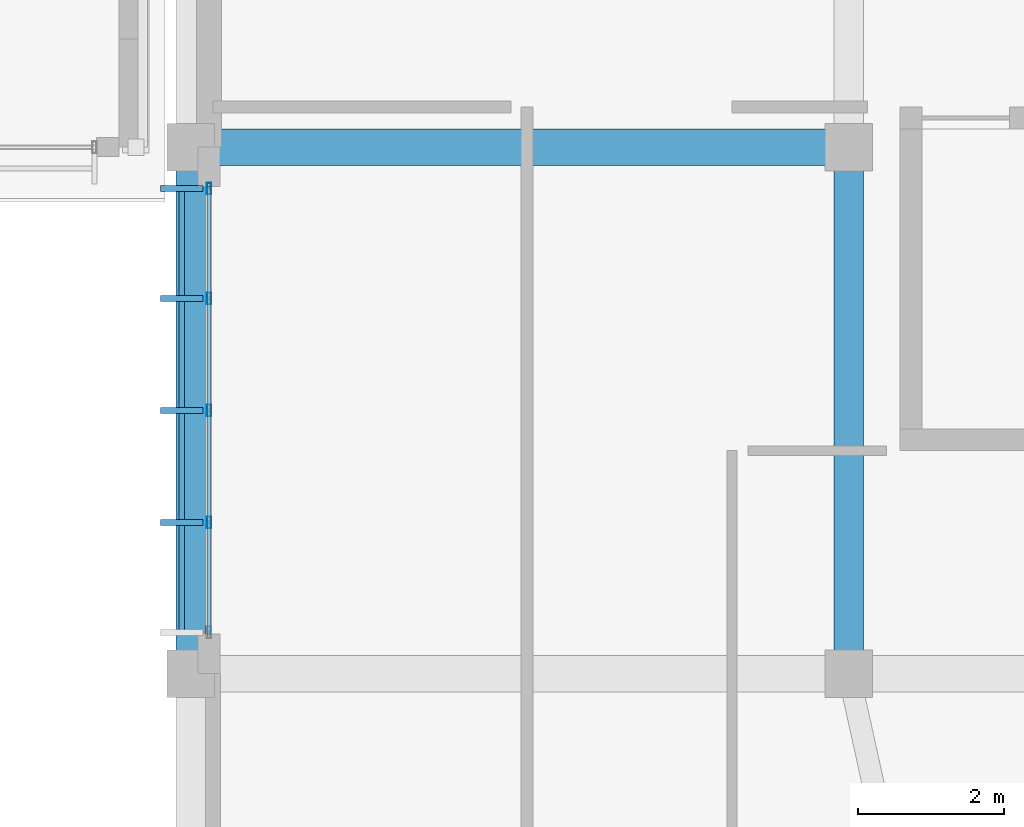
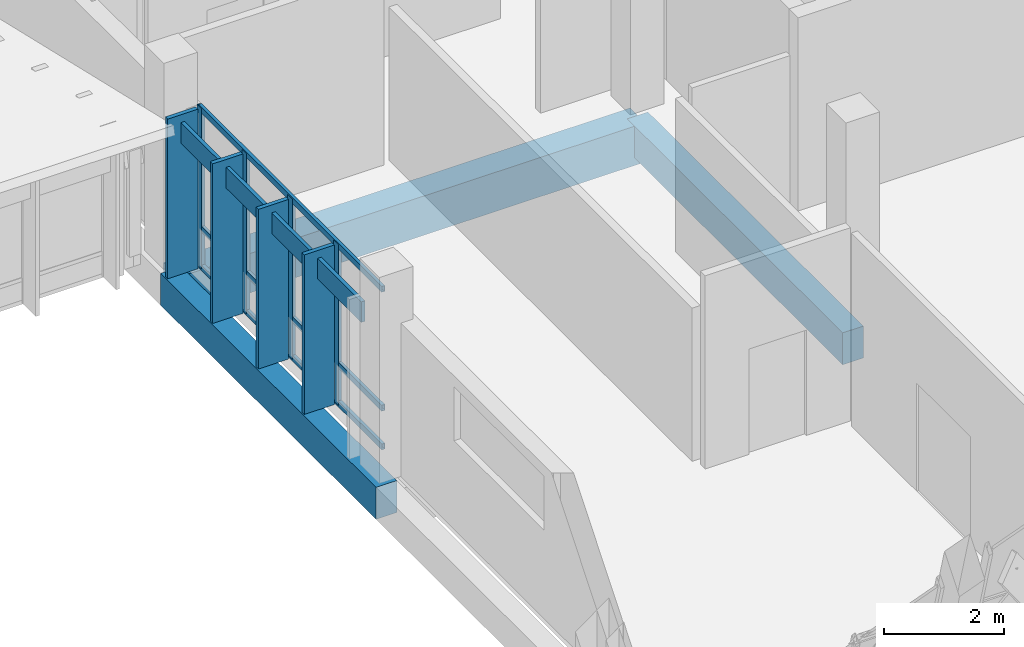
# One storey, part 56 of 182: 12 members, 3 beams, 1 element without a shape of its own.
"""IFC4 building model written with IfcOpenShell, lengths in metres."""

from ifc_helpers import new_model, si_unit, direction, frame, origin, origin_2d, place, context, subcontext, project, spatial, rectangle, hollow_rectangle, extrude, material, material_profile, profile_set, type_object, element, aggregate, save


model = new_model("IFC4")

# Units and contexts
model_context = context("Model", 3, precision=1e-05, world=origin(), true_north=direction((0.0, 1.0)))
body_context = subcontext(model_context, "Body", "Model", "MODEL_VIEW")
ifc_project = project(units=[si_unit("LENGTHUNIT", "METRE"), si_unit("AREAUNIT", "SQUARE_METRE"), si_unit("VOLUMEUNIT", "CUBIC_METRE"), si_unit("PLANEANGLEUNIT", "RADIAN"), si_unit("MASSUNIT", "GRAM", prefix="KILO")], contexts=[model_context])

# Site, building, storey
site_placement = place(None, origin())
site = spatial("IfcSite", under=ifc_project, at=site_placement, CompositionType="ELEMENT")
building_placement = place(site_placement, origin())
building = spatial("IfcBuilding", under=site, at=building_placement, Name="Chiffa Square Polytechnic", CompositionType="ELEMENT")
storey_placement = place(building_placement, frame((0.0, 0.0, 9.60009765625)))
storey = spatial("IfcBuildingStorey", under=building, at=storey_placement, Name="L02", CompositionType="ELEMENT", Elevation=9.60009765625)

# Beams
ifc_material_1 = material(Name="Concrete C35/45", Category="concrete")
ifc_material_profile_1 = material_profile(ifc_material_1, rectangle(XDim=0.39990234375, YDim=0.64990234375, at=origin_2d()), Name="RC 400x650")
ifc_profile_set_1 = profile_set([ifc_material_profile_1], Name="Concrete C35/45")
beam_type_1 = type_object("IfcBeamType", Name="BM-RC-400X650", PredefinedType="BEAM", material=ifc_profile_set_1)
for number, where, z_axis, x_axis, name in (
    (1, (112.199951171875, 14.39990234375, -0.64501953125), (0.0, 1.0, 0.0), (-1.0, 0.0, 0.0), "Primary floor girder BM-V1-L02-Y-1122-0144"),
    (2, (121.199951171875, 14.39990234375, -0.64501953125), (0.0, 1.0, 0.0), (-1.0, 0.0, 0.0), "Primary floor girder BM-V1-L02-Y-1212-0144"),
):
    element("IfcBeam", number, at=place(storey_placement, frame(where, z_axis=z_axis, x_axis=x_axis)), inside=storey, type_object=beam_type_1, Name=name, PredefinedType="BEAM", context=body_context, shape_type="SweptSolid", body=[
        extrude(rectangle(XDim=0.39990234375, YDim=0.64990234375, at=origin_2d()), origin(), (0.0, 0.0, 1.0), 7.2001953125),
    ])
ifc_material_2 = material(Name="Concrete C40/50", Category="concrete")
ifc_material_profile_2 = material_profile(ifc_material_2, rectangle(XDim=0.5, YDim=0.800048828125, at=origin_2d()), Name="RC 500x800")
ifc_profile_set_2 = profile_set([ifc_material_profile_2], Name="Concrete C40/50")
beam_type_2 = type_object("IfcBeamType", Name="BM-RC-500X800", PredefinedType="BEAM", material=ifc_profile_set_2)
beam_placement = place(storey_placement, frame((112.199951171875, 21.60009765625, -0.72021484375), z_axis=(1.0, 0.0, 0.0), x_axis=(0.0, 1.0, 0.0)))
element("IfcBeam", 3, at=beam_placement, inside=storey, type_object=beam_type_2, Name="Primary floor girder BM-V1-L02-X-1122-0216", PredefinedType="BEAM", context=body_context, shape_type="SweptSolid", body=[
    extrude(rectangle(XDim=0.5, YDim=0.800048828125, at=origin_2d()), origin(), (0.0, 0.0, 1.0), 9.0),
])

# Curtain wall, members
ifc_material_3 = material(Name="Aluminium EN AW-6060 T66 and glulam shading", Category="wood")
curtain_wall_type = type_object("IfcCurtainWallType", Name="CW-VERT-600X380", PredefinedType="USERDEFINED", material=ifc_material_3)
curtain_wall_placement = place(storey_placement, origin())
curtain_wall = element("IfcCurtainWall", 4, at=curtain_wall_placement, inside=storey, type_object=curtain_wall_type, Name="Curtain wall CW-V1-L02-132", ObjectType="CURTAIN WALL", PredefinedType="USERDEFINED")
ifc_material_4 = material(Name="Aluminium EN AW-6060 T66", Category="aluminium")
ifc_material_profile_3 = material_profile(ifc_material_4, hollow_rectangle(XDim=0.06005859375, YDim=0.159912109375, WallThickness=0.00390625, at=origin_2d()), Name="ALU 60x160x4")
ifc_profile_set_3 = profile_set([ifc_material_profile_3], Name="Aluminium EN AW-6060 T66")
member_type_1 = type_object("IfcMemberType", Name="CWM-ALU-65X150", PredefinedType="MULLION", material=ifc_profile_set_3)
member_1_placement = place(storey_placement, frame((112.449951171875, 21.034912109375, 0.0), z_axis=(0.0, 0.0, 1.0), x_axis=(1.0, 0.0, 0.0)))
member_1 = element("IfcMember", 5, at=member_1_placement, type_object=member_type_1, Name="Curtain wall mullion CW-V1-L02-132-M00", PredefinedType="MULLION", context=body_context, shape_type="SweptSolid", body=[
    extrude(hollow_rectangle(XDim=0.06005859375, YDim=0.159912109375, WallThickness=0.00390625, at=origin_2d()), origin(), (0.0, 0.0, 1.0), 3.27490234375),
])
member_2_placement = place(storey_placement, frame((112.449951171875, 19.530029296875, 0.0), z_axis=(0.0, 0.0, 1.0), x_axis=(1.0, 0.0, 0.0)))
member_2 = element("IfcMember", 6, at=member_2_placement, type_object=member_type_1, Name="Curtain wall mullion CW-V1-L02-132-M01", PredefinedType="MULLION", context=body_context, shape_type="SweptSolid", body=[
    extrude(hollow_rectangle(XDim=0.06005859375, YDim=0.159912109375, WallThickness=0.00390625, at=origin_2d()), origin(), (0.0, 0.0, 1.0), 3.27490234375),
])
member_3_placement = place(storey_placement, frame((112.449951171875, 18.0, 0.0), z_axis=(0.0, 0.0, 1.0), x_axis=(1.0, 0.0, 0.0)))
member_3 = element("IfcMember", 7, at=member_3_placement, type_object=member_type_1, Name="Curtain wall mullion CW-V1-L02-132-M02", PredefinedType="MULLION", context=body_context, shape_type="SweptSolid", body=[
    extrude(hollow_rectangle(XDim=0.06005859375, YDim=0.159912109375, WallThickness=0.00390625, at=origin_2d()), origin(), (0.0, 0.0, 1.0), 3.27490234375),
])
member_4_placement = place(storey_placement, frame((112.449951171875, 16.469970703125, 0.0), z_axis=(0.0, 0.0, 1.0), x_axis=(1.0, 0.0, 0.0)))
member_4 = element("IfcMember", 8, at=member_4_placement, type_object=member_type_1, Name="Curtain wall mullion CW-V1-L02-132-M03", PredefinedType="MULLION", context=body_context, shape_type="SweptSolid", body=[
    extrude(hollow_rectangle(XDim=0.06005859375, YDim=0.159912109375, WallThickness=0.00390625, at=origin_2d()), origin(), (0.0, 0.0, 1.0), 3.27490234375),
])
ifc_material_5 = material(Name="Glulam GL28h", Category="wood")
ifc_material_profile_4 = material_profile(ifc_material_5, rectangle(XDim=0.080078125, YDim=0.580078125, at=origin_2d()), Name="GL28h 80x580")
ifc_profile_set_4 = profile_set([ifc_material_profile_4], Name="Glulam GL28h")
member_type_2 = type_object("IfcMemberType", Name="CWM-GL-80X580", PredefinedType="MULLION", material=ifc_profile_set_4)
member_5_placement = place(storey_placement, frame((112.077880859375, 21.034912109375, 0.010009765625), z_axis=(0.0, 0.0, 1.0), x_axis=(0.0, -1.0, 0.0)))
member_5 = element("IfcMember", 9, at=member_5_placement, type_object=member_type_2, Name="Exterior glulam solar fin CW-V1-L02-132-FN00", PredefinedType="MULLION", context=body_context, shape_type="SweptSolid", body=[
    extrude(rectangle(XDim=0.080078125, YDim=0.580078125, at=origin_2d()), origin(), (0.0, 0.0, 1.0), 3.2548828125),
])
member_6_placement = place(storey_placement, frame((112.077880859375, 19.530029296875, 0.010009765625), z_axis=(0.0, 0.0, 1.0), x_axis=(0.0, -1.0, 0.0)))
member_6 = element("IfcMember", 10, at=member_6_placement, type_object=member_type_2, Name="Exterior glulam solar fin CW-V1-L02-132-FN01", PredefinedType="MULLION", context=body_context, shape_type="SweptSolid", body=[
    extrude(rectangle(XDim=0.080078125, YDim=0.580078125, at=origin_2d()), origin(), (0.0, 0.0, 1.0), 3.2548828125),
])
member_7_placement = place(storey_placement, frame((112.077880859375, 18.0, 0.010009765625), z_axis=(0.0, 0.0, 1.0), x_axis=(0.0, -1.0, 0.0)))
member_7 = element("IfcMember", 11, at=member_7_placement, type_object=member_type_2, Name="Exterior glulam solar fin CW-V1-L02-132-FN02", PredefinedType="MULLION", context=body_context, shape_type="SweptSolid", body=[
    extrude(rectangle(XDim=0.080078125, YDim=0.580078125, at=origin_2d()), origin(), (0.0, 0.0, 1.0), 3.2548828125),
])
member_8_placement = place(storey_placement, frame((112.077880859375, 16.469970703125, 0.010009765625), z_axis=(0.0, 0.0, 1.0), x_axis=(0.0, -1.0, 0.0)))
member_8 = element("IfcMember", 12, at=member_8_placement, type_object=member_type_2, Name="Exterior glulam solar fin CW-V1-L02-132-FN03", PredefinedType="MULLION", context=body_context, shape_type="SweptSolid", body=[
    extrude(rectangle(XDim=0.080078125, YDim=0.580078125, at=origin_2d()), origin(), (0.0, 0.0, 1.0), 3.2548828125),
])
ifc_material_profile_5 = material_profile(ifc_material_4, hollow_rectangle(XDim=0.06005859375, YDim=0.1201171875, WallThickness=0.00390625, at=origin_2d()), Name="ALU 60x120x4")
ifc_profile_set_5 = profile_set([ifc_material_profile_5], Name="Aluminium EN AW-6060 T66")
member_type_3 = type_object("IfcMemberType", Name="CWT-ALU-65X120", PredefinedType="USERDEFINED", material=ifc_profile_set_5)
member_9_placement = place(storey_placement, frame((112.449951171875, 21.06201171875, 0.02978515625), z_axis=(0.0, -1.0, 0.0), x_axis=(1.0, 0.0, 0.0)))
member_9 = element("IfcMember", 13, at=member_9_placement, type_object=member_type_3, Name="Curtain wall transom CW-V1-L02-132-T01", ObjectType="TRANSOM", PredefinedType="USERDEFINED", context=body_context, shape_type="SweptSolid", body=[
    extrude(hollow_rectangle(XDim=0.06005859375, YDim=0.1201171875, WallThickness=0.00390625, at=origin_2d()), origin(), (0.0, 0.0, 1.0), 6.1240234375),
])
member_10_placement = place(storey_placement, frame((112.449951171875, 21.06201171875, 0.81982421875), z_axis=(0.0, -1.0, 0.0), x_axis=(1.0, 0.0, 0.0)))
member_10 = element("IfcMember", 14, at=member_10_placement, type_object=member_type_3, Name="Curtain wall transom CW-V1-L02-132-T02", ObjectType="TRANSOM", PredefinedType="USERDEFINED", context=body_context, shape_type="SweptSolid", body=[
    extrude(hollow_rectangle(XDim=0.06005859375, YDim=0.1201171875, WallThickness=0.00390625, at=origin_2d()), origin(), (0.0, 0.0, 1.0), 6.1240234375),
])
member_11_placement = place(storey_placement, frame((112.449951171875, 21.06201171875, 3.244873046875), z_axis=(0.0, -1.0, 0.0), x_axis=(1.0, 0.0, 0.0)))
member_11 = element("IfcMember", 15, at=member_11_placement, type_object=member_type_3, Name="Curtain wall transom CW-V1-L02-132-T03", ObjectType="TRANSOM", PredefinedType="USERDEFINED", context=body_context, shape_type="SweptSolid", body=[
    extrude(hollow_rectangle(XDim=0.06005859375, YDim=0.1201171875, WallThickness=0.00390625, at=origin_2d()), origin(), (0.0, 0.0, 1.0), 6.1240234375),
])
ifc_material_profile_6 = material_profile(ifc_material_5, rectangle(XDim=0.070068359375, YDim=0.419921875, at=origin_2d()), Name="GL28h 70x420")
ifc_profile_set_6 = profile_set([ifc_material_profile_6], Name="Glulam GL28h")
member_type_4 = type_object("IfcMemberType", Name="CWT-GL-70X420", PredefinedType="USERDEFINED", material=ifc_profile_set_6)
member_12_placement = place(storey_placement, frame((112.077880859375, 21.034912109375, 2.89501953125), z_axis=(0.0, -1.0, 0.0), x_axis=(1.0, 0.0, 0.0)))
member_12 = element("IfcMember", 16, at=member_12_placement, type_object=member_type_4, Name="Exterior glulam brise-soleil CW-V1-L02-132-BS01", ObjectType="TRANSOM", PredefinedType="USERDEFINED", context=body_context, shape_type="SweptSolid", body=[
    extrude(rectangle(XDim=0.070068359375, YDim=0.419921875, at=origin_2d()), origin(), (0.0, 0.0, 1.0), 6.06982421875),
])
aggregate(curtain_wall, [member_1, member_5, member_2, member_6, member_3, member_7, member_4, member_8, member_9, member_10, member_11, member_12])

save(model, "model.ifc")
